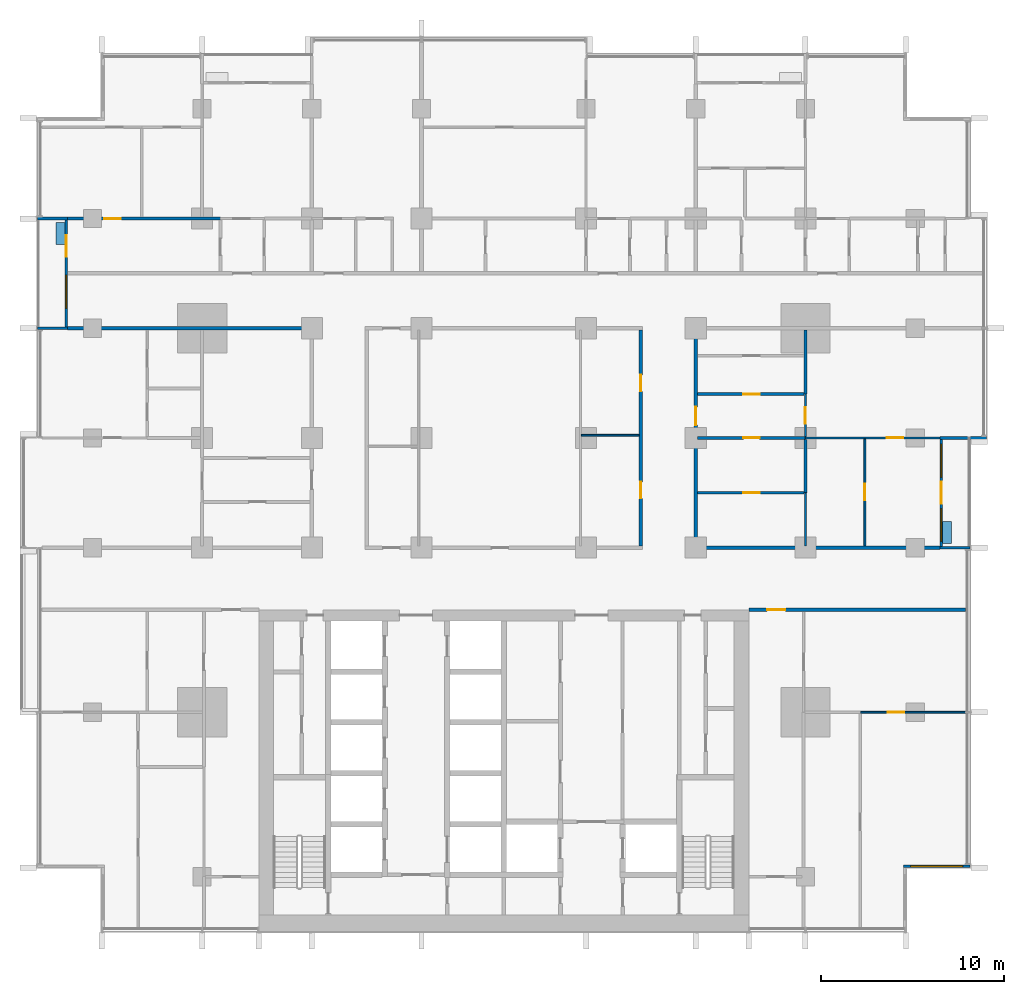
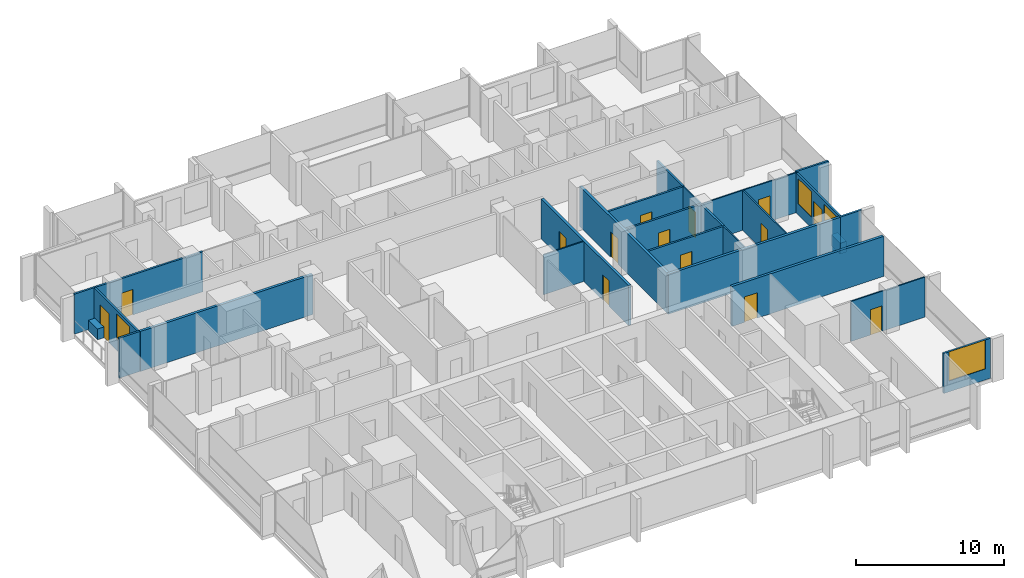
# One storey, part 10 of 18: 26 walls, 14 doors, 4 windows, 18 openings.
"""IFC4 building model written with IfcOpenShell, lengths in metres."""

from ifc_helpers import new_model, si_unit, direction, frame, frame_2d, origin, place, context, subcontext, project, spatial, rectangle, extrude, material, layer, layer_set, type_object, element, fill, save


model = new_model("IFC4")

# Units and contexts
model_context = context("Model", 3, precision=1e-05, world=origin(), true_north=direction((0.0, 1.0)))
body_context = subcontext(model_context, "Body", "Model", "MODEL_VIEW")
ifc_project = project(units=[si_unit("LENGTHUNIT", "METRE"), si_unit("AREAUNIT", "SQUARE_METRE"), si_unit("VOLUMEUNIT", "CUBIC_METRE"), si_unit("PLANEANGLEUNIT", "RADIAN"), si_unit("MASSUNIT", "GRAM", prefix="KILO")], contexts=[model_context])

# Site, building, storey
site_placement = place(None, origin())
site = spatial("IfcSite", under=ifc_project, at=site_placement, CompositionType="ELEMENT")
building_placement = place(site_placement, origin())
building = spatial("IfcBuilding", under=site, at=building_placement, Name="Finial Court Residences", CompositionType="ELEMENT")
storey_placement = place(building_placement, frame((0.0, 0.0, 106.300048828125)))
storey = spatial("IfcBuildingStorey", under=building, at=storey_placement, Name="L26", CompositionType="ELEMENT", Elevation=106.300048828125)

# Wall, opening, door
ifc_material_1 = material(Name="Gypsum board")
ifc_layer_1 = layer(ifc_material_1, 0.02490234375)
ifc_material_2 = material(Name="Acoustic mineral wool in double frame")
ifc_layer_2 = layer(ifc_material_2, 0.14990234375)
ifc_layer_3 = layer(ifc_material_1, 0.02490234375)
ifc_layer_set_1 = layer_set([ifc_layer_1, ifc_layer_2, ifc_layer_3], Name="Corridor wall 200, 1 hour")
wall_type_1 = type_object("IfcWallType", Name="Corridor wall 200, 1 hour", PredefinedType="PARTITIONING", material=ifc_layer_set_1)
wall_1_placement = place(storey_placement, frame((13.39990234375, -7.89990234375, 0.0), z_axis=(0.0, 0.0, 1.0), x_axis=(1.0, 0.0, 0.0)))
wall_1 = element("IfcWall", 1, at=wall_1_placement, inside=storey, type_object=wall_type_1, Name="Partition L26-008", PredefinedType="PARTITIONING", context=body_context, shape_type="SweptSolid", body=[
    extrude(rectangle(XDim=11.85009765625, YDim=0.199951171875, at=frame_2d((5.925048828125, 0.0))), origin(), (0.0, 0.0, 1.0), 3.300048828125),
])
opening_1_placement = place(wall_1_placement, frame((1.0, 0.0, 0.0)))
opening_1 = element("IfcOpeningElement", 2, at=opening_1_placement, cuts=wall_1, Name="Opening L26-D006", PredefinedType="OPENING", context=body_context, shape_type="SweptSolid", body=[
    extrude(rectangle(XDim=1.0, YDim=2.10009765625, at=frame_2d((0.5, 1.050048828125))), frame((0.0, 0.10986328125, 0.0), z_axis=(0.0, -1.0, 0.0), x_axis=(1.0, 0.0, 0.0)), (0.0, 0.0, 1.0), 0.219970703125),
])
ifc_material_3 = material(Name="Timber door leaf in hollow metal frame", Category="wood")
door_type_1 = type_object("IfcDoorType", Name="Fire door set 1000 x 2100, 30 minutes", OperationType="SINGLE_SWING_LEFT", PredefinedType="DOOR", material=ifc_material_3)
door_1_placement = place(opening_1_placement, origin())
door_1 = element("IfcDoor", 3, at=door_1_placement, inside=storey, type_object=door_type_1, Name="Door L26-D006", OperationType="SINGLE_SWING_LEFT", OverallHeight=2.10009765625, OverallWidth=1.0, PredefinedType="DOOR", context=body_context, shape_type="SweptSolid", body=[
    extrude(rectangle(XDim=1.0, YDim=2.10009765625, at=frame_2d((0.5, 1.050048828125))), frame((0.0, 0.02490234375, 0.0), z_axis=(0.0, -1.0, 0.0), x_axis=(1.0, 0.0, 0.0)), (0.0, 0.0, 1.0), 0.050048828125),
])
fill(opening_1, door_1)

# Walls
for number, where, z_axis, x_axis, name in (
    (4, (10.39990234375, -4.5, 0.0), (0.0, 0.0, 1.0), (1.0, 0.0, 0.0), "Partition L26-011"),
    (5, (-23.85009765625, 7.5, 0.0), (0.0, 0.0, 1.0), (1.0, 0.0, 0.0), "Partition L26-024"),
):
    element("IfcWall", number, at=place(storey_placement, frame(where, z_axis=z_axis, x_axis=x_axis)), inside=storey, type_object=wall_type_1, Name=name, PredefinedType="PARTITIONING", context=body_context, shape_type="SweptSolid", body=[
        extrude(rectangle(XDim=13.4501953125, YDim=0.199951171875, at=frame_2d((6.72509765625, 0.0))), origin(), (0.0, 0.0, 1.0), 3.300048828125),
    ])

# Wall, openings, doors
wall_2_placement = place(storey_placement, frame((7.5, -4.39990234375, 0.0), z_axis=(0.0, 0.0, 1.0), x_axis=(0.0, 1.0, 0.0)))
wall_2 = element("IfcWall", 6, at=wall_2_placement, inside=storey, type_object=wall_type_1, Name="Partition L26-074", PredefinedType="PARTITIONING", context=body_context, shape_type="SweptSolid", body=[
    extrude(rectangle(XDim=11.7998046875, YDim=0.199951171875, at=frame_2d((5.89990234375, 0.0))), origin(), (0.0, 0.0, 1.0), 3.300048828125),
])
opening_2_placement = place(wall_2_placement, frame((2.60009765625, 0.0, 0.0)))
opening_2 = element("IfcOpeningElement", 7, at=opening_2_placement, cuts=wall_2, Name="Opening L26-D047", PredefinedType="OPENING", context=body_context, shape_type="SweptSolid", body=[
    extrude(rectangle(XDim=0.89990234375, YDim=2.10009765625, at=frame_2d((0.449951171875, 1.050048828125))), frame((0.0, 0.10986328125, 0.0), z_axis=(0.0, -1.0, 0.0), x_axis=(1.0, 0.0, 0.0)), (0.0, 0.0, 1.0), 0.219970703125),
])
opening_3_placement = place(wall_2_placement, frame((8.449951171875, 0.0, 0.0)))
opening_3 = element("IfcOpeningElement", 8, at=opening_3_placement, cuts=wall_2, Name="Opening L26-D048", PredefinedType="OPENING", context=body_context, shape_type="SweptSolid", body=[
    extrude(rectangle(XDim=0.89990234375, YDim=2.10009765625, at=frame_2d((0.449951171875, 1.050048828125))), frame((0.0, 0.10986328125, 0.0), z_axis=(0.0, -1.0, 0.0), x_axis=(1.0, 0.0, 0.0)), (0.0, 0.0, 1.0), 0.219970703125),
])
door_type_2 = type_object("IfcDoorType", Name="Fire door set 900 x 2100, 30 minutes", OperationType="SINGLE_SWING_LEFT", PredefinedType="DOOR", material=ifc_material_3)
door_2_placement = place(opening_2_placement, origin())
door_2 = element("IfcDoor", 9, at=door_2_placement, inside=storey, type_object=door_type_2, Name="Door L26-D047", OperationType="SINGLE_SWING_RIGHT", OverallHeight=2.10009765625, OverallWidth=0.89990234375, PredefinedType="DOOR", context=body_context, shape_type="SweptSolid", body=[
    extrude(rectangle(XDim=0.89990234375, YDim=2.10009765625, at=frame_2d((0.449951171875, 1.050048828125))), frame((0.0, 0.02490234375, 0.0), z_axis=(0.0, -1.0, 0.0), x_axis=(1.0, 0.0, 0.0)), (0.0, 0.0, 1.0), 0.050048828125),
])
fill(opening_2, door_2)
door_3_placement = place(opening_3_placement, origin())
door_3 = element("IfcDoor", 10, at=door_3_placement, inside=storey, type_object=door_type_2, Name="Door L26-D048", OperationType="SINGLE_SWING_LEFT", OverallHeight=2.10009765625, OverallWidth=0.89990234375, PredefinedType="DOOR", context=body_context, shape_type="SweptSolid", body=[
    extrude(rectangle(XDim=0.89990234375, YDim=2.10009765625, at=frame_2d((0.449951171875, 1.050048828125))), frame((0.0, 0.02490234375, 0.0), z_axis=(0.0, -1.0, 0.0), x_axis=(1.0, 0.0, 0.0)), (0.0, 0.0, 1.0), 0.050048828125),
])
fill(opening_3, door_3)

# Wall, opening, door
wall_3_placement = place(storey_placement, frame((10.5, -4.39990234375, 0.0), z_axis=(0.0, 0.0, 1.0), x_axis=(0.0, 1.0, 0.0)))
wall_3 = element("IfcWall", 11, at=wall_3_placement, inside=storey, type_object=wall_type_1, Name="Partition L26-076", PredefinedType="PARTITIONING", context=body_context, shape_type="SweptSolid", body=[
    extrude(rectangle(XDim=11.7998046875, YDim=0.199951171875, at=frame_2d((5.89990234375, 0.0))), origin(), (0.0, 0.0, 1.0), 3.300048828125),
])
opening_4_placement = place(wall_3_placement, frame((6.60009765625, 0.0, 0.0)))
opening_4 = element("IfcOpeningElement", 12, at=opening_4_placement, cuts=wall_3, Name="Opening L26-D050", PredefinedType="OPENING", context=body_context, shape_type="SweptSolid", body=[
    extrude(rectangle(XDim=1.0, YDim=2.10009765625, at=frame_2d((0.5, 1.050048828125))), frame((0.0, 0.10986328125, 0.0), z_axis=(0.0, -1.0, 0.0), x_axis=(1.0, 0.0, 0.0)), (0.0, 0.0, 1.0), 0.219970703125),
])
door_4_placement = place(opening_4_placement, origin())
door_4 = element("IfcDoor", 13, at=door_4_placement, inside=storey, type_object=door_type_1, Name="Door L26-D050", OperationType="SINGLE_SWING_RIGHT", OverallHeight=2.10009765625, OverallWidth=1.0, PredefinedType="DOOR", context=body_context, shape_type="SweptSolid", body=[
    extrude(rectangle(XDim=1.0, YDim=2.10009765625, at=frame_2d((0.5, 1.050048828125))), frame((0.0, 0.02490234375, 0.0), z_axis=(0.0, -1.0, 0.0), x_axis=(1.0, 0.0, 0.0)), (0.0, 0.0, 1.0), 0.050048828125),
])
fill(opening_4, door_4)

ifc_layer_4 = layer(ifc_material_1, 0.012451171875)
ifc_material_4 = material(Name="Mineral wool in light-gauge frame")
ifc_layer_5 = layer(ifc_material_4, 0.074951171875)
ifc_layer_6 = layer(ifc_material_1, 0.012451171875)
ifc_layer_set_2 = layer_set([ifc_layer_4, ifc_layer_5, ifc_layer_6], Name="Gypsum board partition 100")
wall_type_2 = type_object("IfcWallType", Name="Gypsum board partition 100", PredefinedType="PARTITIONING", material=ifc_layer_set_2)
wall_4_placement = place(storey_placement, frame((19.5, -13.5, 0.0), z_axis=(0.0, 0.0, 1.0), x_axis=(1.0, 0.0, 0.0)))
wall_4 = element("IfcWall", 14, at=wall_4_placement, inside=storey, type_object=wall_type_2, Name="Partition L26-004", PredefinedType="PARTITIONING", context=body_context, shape_type="SweptSolid", body=[
    extrude(rectangle(XDim=5.75, YDim=0.10009765625, at=frame_2d((2.875, 0.0))), origin(), (0.0, 0.0, 1.0), 3.300048828125),
])
opening_5_placement = place(wall_4_placement, frame((1.5, 0.0, 0.0)))
opening_5 = element("IfcOpeningElement", 15, at=opening_5_placement, cuts=wall_4, Name="Opening L26-D004", PredefinedType="OPENING", context=body_context, shape_type="SweptSolid", body=[
    extrude(rectangle(XDim=0.89990234375, YDim=2.10009765625, at=frame_2d((0.449951171875, 1.050048828125))), frame((0.0, 0.06005859375, 0.0), z_axis=(0.0, -1.0, 0.0), x_axis=(1.0, 0.0, 0.0)), (0.0, 0.0, 1.0), 0.1201171875),
])
ifc_material_5 = material(Name="Timber door leaf in timber frame", Category="wood")
door_type_3 = type_object("IfcDoorType", Name="Door set 900 x 2100", OperationType="SINGLE_SWING_LEFT", PredefinedType="DOOR", material=ifc_material_5)
door_5_placement = place(opening_5_placement, origin())
door_5 = element("IfcDoor", 16, at=door_5_placement, inside=storey, type_object=door_type_3, Name="Door L26-D004", OperationType="SINGLE_SWING_LEFT", OverallHeight=2.10009765625, OverallWidth=0.89990234375, PredefinedType="DOOR", context=body_context, shape_type="SweptSolid", body=[
    extrude(rectangle(XDim=0.89990234375, YDim=2.10009765625, at=frame_2d((0.449951171875, 1.050048828125))), frame((0.0, 0.02490234375, 0.0), z_axis=(0.0, -1.0, 0.0), x_axis=(1.0, 0.0, 0.0)), (0.0, 0.0, 1.0), 0.050048828125),
])
fill(opening_5, door_5)

wall_5_placement = place(storey_placement, frame((16.5, 1.5, 0.0), z_axis=(0.0, 0.0, 1.0), x_axis=(1.0, 0.0, 0.0)))
wall_5 = element("IfcWall", 17, at=wall_5_placement, inside=storey, type_object=wall_type_2, Name="Partition L26-017", PredefinedType="PARTITIONING", context=body_context, shape_type="SweptSolid", body=[
    extrude(rectangle(XDim=7.35009765625, YDim=0.10009765625, at=frame_2d((3.675048828125, 0.0))), origin(), (0.0, 0.0, 1.0), 3.300048828125),
])
opening_6_placement = place(wall_5_placement, frame((4.449951171875, 0.0, 0.0)))
opening_6 = element("IfcOpeningElement", 18, at=opening_6_placement, cuts=wall_5, Name="Opening L26-D013", PredefinedType="OPENING", context=body_context, shape_type="SweptSolid", body=[
    extrude(rectangle(XDim=0.89990234375, YDim=2.10009765625, at=frame_2d((0.449951171875, 1.050048828125))), frame((0.0, 0.06005859375, 0.0), z_axis=(0.0, -1.0, 0.0), x_axis=(1.0, 0.0, 0.0)), (0.0, 0.0, 1.0), 0.1201171875),
])
door_6_placement = place(opening_6_placement, origin())
door_6 = element("IfcDoor", 19, at=door_6_placement, inside=storey, type_object=door_type_3, Name="Door L26-D013", OperationType="SINGLE_SWING_RIGHT", OverallHeight=2.10009765625, OverallWidth=0.89990234375, PredefinedType="DOOR", context=body_context, shape_type="SweptSolid", body=[
    extrude(rectangle(XDim=0.89990234375, YDim=2.10009765625, at=frame_2d((0.449951171875, 1.050048828125))), frame((0.0, 0.02490234375, 0.0), z_axis=(0.0, -1.0, 0.0), x_axis=(1.0, 0.0, 0.0)), (0.0, 0.0, 1.0), 0.050048828125),
])
fill(opening_6, door_6)

# Walls
wall_6_placement = place(storey_placement, frame((4.25, 1.64990234375, 0.0), z_axis=(0.0, 0.0, 1.0), x_axis=(1.0, 0.0, 0.0)))
element("IfcWall", 20, at=wall_6_placement, inside=storey, type_object=wall_type_2, Name="Partition L26-020", PredefinedType="PARTITIONING", context=body_context, shape_type="SweptSolid", body=[
    extrude(rectangle(XDim=3.14990234375, YDim=0.10009765625, at=frame_2d((1.574951171875, 0.0))), origin(), (0.0, 0.0, 1.0), 3.300048828125),
])
wall_7_placement = place(storey_placement, frame((16.5, -4.39990234375, 0.0), z_axis=(0.0, 0.0, 1.0), x_axis=(0.0, 1.0, 0.0)))
element("IfcWall", 21, at=wall_7_placement, inside=storey, type_object=wall_type_2, Name="Partition L26-083", PredefinedType="PARTITIONING", context=body_context, shape_type="SweptSolid", body=[
    extrude(rectangle(XDim=2.89990234375, YDim=0.10009765625, at=frame_2d((1.449951171875, 0.0))), origin(), (0.0, 0.0, 1.0), 3.300048828125),
])

# Wall, opening, door
wall_8_placement = place(storey_placement, frame((16.5, 1.574951171875, 0.0), z_axis=(0.0, 0.0, 1.0), x_axis=(0.0, 1.0, 0.0)))
wall_8 = element("IfcWall", 22, at=wall_8_placement, inside=storey, type_object=wall_type_2, Name="Partition L26-084", PredefinedType="PARTITIONING", context=body_context, shape_type="SweptSolid", body=[
    extrude(rectangle(XDim=2.324951171875, YDim=0.10009765625, at=frame_2d((1.16259765625, 0.0))), origin(), (0.0, 0.0, 1.0), 3.300048828125),
])
opening_7_placement = place(wall_8_placement, frame((0.699951171875, 0.0, 0.0)))
opening_7 = element("IfcOpeningElement", 23, at=opening_7_placement, cuts=wall_8, Name="Opening L26-D053", PredefinedType="OPENING", context=body_context, shape_type="SweptSolid", body=[
    extrude(rectangle(XDim=0.89990234375, YDim=2.10009765625, at=frame_2d((0.449951171875, 1.050048828125))), frame((0.0, 0.06005859375, 0.0), z_axis=(0.0, -1.0, 0.0), x_axis=(1.0, 0.0, 0.0)), (0.0, 0.0, 1.0), 0.1201171875),
])
door_7_placement = place(opening_7_placement, origin())
door_7 = element("IfcDoor", 24, at=door_7_placement, inside=storey, type_object=door_type_3, Name="Door L26-D053", OperationType="SINGLE_SWING_RIGHT", OverallHeight=2.10009765625, OverallWidth=0.89990234375, PredefinedType="DOOR", context=body_context, shape_type="SweptSolid", body=[
    extrude(rectangle(XDim=0.89990234375, YDim=2.10009765625, at=frame_2d((0.449951171875, 1.050048828125))), frame((0.0, 0.02490234375, 0.0), z_axis=(0.0, -1.0, 0.0), x_axis=(1.0, 0.0, 0.0)), (0.0, 0.0, 1.0), 0.050048828125),
])
fill(opening_7, door_7)

wall_9_placement = place(storey_placement, frame((19.75, -4.39990234375, 0.0), z_axis=(0.0, 0.0, 1.0), x_axis=(0.0, 1.0, 0.0)))
wall_9 = element("IfcWall", 25, at=wall_9_placement, inside=storey, type_object=wall_type_2, Name="Partition L26-091", PredefinedType="PARTITIONING", context=body_context, shape_type="SweptSolid", body=[
    extrude(rectangle(XDim=5.849853515625, YDim=0.10009765625, at=frame_2d((2.9248046875, 0.0))), origin(), (0.0, 0.0, 1.0), 3.300048828125),
])
opening_8_placement = place(wall_9_placement, frame((2.5, 0.0, 0.0)))
opening_8 = element("IfcOpeningElement", 26, at=opening_8_placement, cuts=wall_9, Name="Opening L26-D058", PredefinedType="OPENING", context=body_context, shape_type="SweptSolid", body=[
    extrude(rectangle(XDim=0.89990234375, YDim=2.10009765625, at=frame_2d((0.449951171875, 1.050048828125))), frame((0.0, 0.06005859375, 0.0), z_axis=(0.0, -1.0, 0.0), x_axis=(1.0, 0.0, 0.0)), (0.0, 0.0, 1.0), 0.1201171875),
])
door_8_placement = place(opening_8_placement, origin())
door_8 = element("IfcDoor", 27, at=door_8_placement, inside=storey, type_object=door_type_3, Name="Door L26-D058", OperationType="SINGLE_SWING_RIGHT", OverallHeight=2.10009765625, OverallWidth=0.89990234375, PredefinedType="DOOR", context=body_context, shape_type="SweptSolid", body=[
    extrude(rectangle(XDim=0.89990234375, YDim=2.10009765625, at=frame_2d((0.449951171875, 1.050048828125))), frame((0.0, 0.02490234375, 0.0), z_axis=(0.0, -1.0, 0.0), x_axis=(1.0, 0.0, 0.0)), (0.0, 0.0, 1.0), 0.050048828125),
])
fill(opening_8, door_8)

ifc_material_6 = material(Name="Moisture-resistant gypsum board")
ifc_layer_7 = layer(ifc_material_6, 0.012451171875)
ifc_layer_8 = layer(ifc_material_4, 0.125)
ifc_layer_9 = layer(ifc_material_6, 0.012451171875)
ifc_layer_set_3 = layer_set([ifc_layer_7, ifc_layer_8, ifc_layer_9], Name="Gypsum board wet-area partition 150")
wall_type_3 = type_object("IfcWallType", Name="Gypsum board wet-area partition 150", PredefinedType="PARTITIONING", material=ifc_layer_set_3)
wall_10_placement = place(storey_placement, frame((10.60009765625, -1.5, 0.0), z_axis=(0.0, 0.0, 1.0), x_axis=(1.0, 0.0, 0.0)))
wall_10 = element("IfcWall", 28, at=wall_10_placement, inside=storey, type_object=wall_type_3, Name="Partition L26-013", PredefinedType="PARTITIONING", context=body_context, shape_type="SweptSolid", body=[
    extrude(rectangle(XDim=5.824951171875, YDim=0.14990234375, at=frame_2d((2.91259765625, 0.0))), origin(), (0.0, 0.0, 1.0), 3.300048828125),
])
opening_9_placement = place(wall_10_placement, frame((2.5, 0.0, 0.0)))
opening_9 = element("IfcOpeningElement", 29, at=opening_9_placement, cuts=wall_10, Name="Opening L26-D010", PredefinedType="OPENING", context=body_context, shape_type="SweptSolid", body=[
    extrude(rectangle(XDim=0.89990234375, YDim=2.10009765625, at=frame_2d((0.449951171875, 1.050048828125))), frame((0.0, 0.0849609375, 0.0), z_axis=(0.0, -1.0, 0.0), x_axis=(1.0, 0.0, 0.0)), (0.0, 0.0, 1.0), 0.169921875),
])
door_9_placement = place(opening_9_placement, origin())
door_9 = element("IfcDoor", 30, at=door_9_placement, inside=storey, type_object=door_type_3, Name="Door L26-D010", OperationType="SINGLE_SWING_LEFT", OverallHeight=2.10009765625, OverallWidth=0.89990234375, PredefinedType="DOOR", context=body_context, shape_type="SweptSolid", body=[
    extrude(rectangle(XDim=0.89990234375, YDim=2.10009765625, at=frame_2d((0.449951171875, 1.050048828125))), frame((0.0, 0.02490234375, 0.0), z_axis=(0.0, -1.0, 0.0), x_axis=(1.0, 0.0, 0.0)), (0.0, 0.0, 1.0), 0.050048828125),
])
fill(opening_9, door_9)

wall_11_placement = place(storey_placement, frame((10.60009765625, 1.5, 0.0), z_axis=(0.0, 0.0, 1.0), x_axis=(1.0, 0.0, 0.0)))
wall_11 = element("IfcWall", 31, at=wall_11_placement, inside=storey, type_object=wall_type_3, Name="Partition L26-019", PredefinedType="PARTITIONING", context=body_context, shape_type="SweptSolid", body=[
    extrude(rectangle(XDim=5.89990234375, YDim=0.14990234375, at=frame_2d((2.949951171875, 0.0))), origin(), (0.0, 0.0, 1.0), 3.300048828125),
])
opening_10_placement = place(wall_11_placement, frame((2.5, 0.0, 0.0)))
opening_10 = element("IfcOpeningElement", 32, at=opening_10_placement, cuts=wall_11, Name="Opening L26-D014", PredefinedType="OPENING", context=body_context, shape_type="SweptSolid", body=[
    extrude(rectangle(XDim=0.89990234375, YDim=2.10009765625, at=frame_2d((0.449951171875, 1.050048828125))), frame((0.0, 0.0849609375, 0.0), z_axis=(0.0, -1.0, 0.0), x_axis=(1.0, 0.0, 0.0)), (0.0, 0.0, 1.0), 0.169921875),
])
door_10_placement = place(opening_10_placement, origin())
door_10 = element("IfcDoor", 33, at=door_10_placement, inside=storey, type_object=door_type_3, Name="Door L26-D014", OperationType="SINGLE_SWING_LEFT", OverallHeight=2.10009765625, OverallWidth=0.89990234375, PredefinedType="DOOR", context=body_context, shape_type="SweptSolid", body=[
    extrude(rectangle(XDim=0.89990234375, YDim=2.10009765625, at=frame_2d((0.449951171875, 1.050048828125))), frame((0.0, 0.02490234375, 0.0), z_axis=(0.0, -1.0, 0.0), x_axis=(1.0, 0.0, 0.0)), (0.0, 0.0, 1.0), 0.050048828125),
])
fill(opening_10, door_10)

wall_12_placement = place(storey_placement, frame((10.60009765625, 3.89990234375, 0.0), z_axis=(0.0, 0.0, 1.0), x_axis=(1.0, 0.0, 0.0)))
wall_12 = element("IfcWall", 34, at=wall_12_placement, inside=storey, type_object=wall_type_3, Name="Partition L26-021", PredefinedType="PARTITIONING", context=body_context, shape_type="SweptSolid", body=[
    extrude(rectangle(XDim=5.824951171875, YDim=0.14990234375, at=frame_2d((2.91259765625, 0.0))), origin(), (0.0, 0.0, 1.0), 3.300048828125),
])
opening_11_placement = place(wall_12_placement, frame((2.5, 0.0, 0.0)))
opening_11 = element("IfcOpeningElement", 35, at=opening_11_placement, cuts=wall_12, Name="Opening L26-D015", PredefinedType="OPENING", context=body_context, shape_type="SweptSolid", body=[
    extrude(rectangle(XDim=0.89990234375, YDim=2.10009765625, at=frame_2d((0.449951171875, 1.050048828125))), frame((0.0, 0.0849609375, 0.0), z_axis=(0.0, -1.0, 0.0), x_axis=(1.0, 0.0, 0.0)), (0.0, 0.0, 1.0), 0.169921875),
])
door_11_placement = place(opening_11_placement, origin())
door_11 = element("IfcDoor", 36, at=door_11_placement, inside=storey, type_object=door_type_3, Name="Door L26-D015", OperationType="SINGLE_SWING_RIGHT", OverallHeight=2.10009765625, OverallWidth=0.89990234375, PredefinedType="DOOR", context=body_context, shape_type="SweptSolid", body=[
    extrude(rectangle(XDim=0.89990234375, YDim=2.10009765625, at=frame_2d((0.449951171875, 1.050048828125))), frame((0.0, 0.02490234375, 0.0), z_axis=(0.0, -1.0, 0.0), x_axis=(1.0, 0.0, 0.0)), (0.0, 0.0, 1.0), 0.050048828125),
])
fill(opening_11, door_11)

wall_13_placement = place(storey_placement, frame((-23.85009765625, 13.5, 0.0), z_axis=(0.0, 0.0, 1.0), x_axis=(1.0, 0.0, 0.0)))
wall_13 = element("IfcWall", 37, at=wall_13_placement, inside=storey, type_object=wall_type_3, Name="Partition L26-033", PredefinedType="PARTITIONING", context=body_context, shape_type="SweptSolid", body=[
    extrude(rectangle(XDim=8.35009765625, YDim=0.14990234375, at=frame_2d((4.175048828125, 0.0))), origin(), (0.0, 0.0, 1.0), 3.300048828125),
])
opening_12_placement = place(wall_13_placement, frame((2.0, 0.0, 0.0)))
opening_12 = element("IfcOpeningElement", 38, at=opening_12_placement, cuts=wall_13, Name="Opening L26-D026", PredefinedType="OPENING", context=body_context, shape_type="SweptSolid", body=[
    extrude(rectangle(XDim=0.89990234375, YDim=2.10009765625, at=frame_2d((0.449951171875, 1.050048828125))), frame((0.0, 0.0849609375, 0.0), z_axis=(0.0, -1.0, 0.0), x_axis=(1.0, 0.0, 0.0)), (0.0, 0.0, 1.0), 0.169921875),
])
door_12_placement = place(opening_12_placement, origin())
door_12 = element("IfcDoor", 39, at=door_12_placement, inside=storey, type_object=door_type_3, Name="Door L26-D026", OperationType="SINGLE_SWING_RIGHT", OverallHeight=2.10009765625, OverallWidth=0.89990234375, PredefinedType="DOOR", context=body_context, shape_type="SweptSolid", body=[
    extrude(rectangle(XDim=0.89990234375, YDim=2.10009765625, at=frame_2d((0.449951171875, 1.050048828125))), frame((0.0, 0.02490234375, 0.0), z_axis=(0.0, -1.0, 0.0), x_axis=(1.0, 0.0, 0.0)), (0.0, 0.0, 1.0), 0.050048828125),
])
fill(opening_12, door_12)

# Walls
wall_14_placement = place(storey_placement, frame((16.5, -1.5, 0.0), z_axis=(0.0, 0.0, 1.0), x_axis=(0.0, 1.0, 0.0)))
element("IfcWall", 40, at=wall_14_placement, inside=storey, type_object=wall_type_3, Name="Partition L26-086", PredefinedType="PARTITIONING", context=body_context, shape_type="SweptSolid", body=[
    extrude(rectangle(XDim=2.925048828125, YDim=0.14990234375, at=frame_2d((1.46240234375, 0.0))), origin(), (0.0, 0.0, 1.0), 3.300048828125),
])
wall_15_placement = place(storey_placement, frame((16.5, 3.89990234375, 0.0), z_axis=(0.0, 0.0, 1.0), x_axis=(0.0, 1.0, 0.0)))
element("IfcWall", 41, at=wall_15_placement, inside=storey, type_object=wall_type_3, Name="Partition L26-087", PredefinedType="PARTITIONING", context=body_context, shape_type="SweptSolid", body=[
    extrude(rectangle(XDim=3.5, YDim=0.14990234375, at=frame_2d((1.75, 0.0))), origin(), (0.0, 0.0, 1.0), 3.300048828125),
])

# Wall, opening, window
ifc_material_7 = material(Name="Natural limestone", Category="masonry")
ifc_layer_10 = layer(ifc_material_7, 0.14990234375)
ifc_layer_set_4 = layer_set([ifc_layer_10], Name="Limestone clad wall 150")
wall_type_4 = type_object("IfcWallType", Name="Limestone clad wall 150", PredefinedType="SOLIDWALL", material=ifc_layer_set_4)
wall_16_placement = place(storey_placement, frame((25.5, -21.925048828125, 0.0), z_axis=(0.0, 0.0, 1.0), x_axis=(-1.0, 0.0, 0.0)))
wall_16 = element("IfcWall", 42, at=wall_16_placement, inside=storey, type_object=wall_type_4, Name="E-L26-NWS19", PredefinedType="SOLIDWALL", context=body_context, shape_type="SweptSolid", body=[
    extrude(rectangle(XDim=3.64990234375, YDim=0.14990234375, at=frame_2d((1.824951171875, 0.0))), origin(), (0.0, 0.0, 1.0), 3.300048828125),
])
opening_13_placement = place(wall_16_placement, frame((0.39990234375, 0.0, 0.89990234375)))
opening_13 = element("IfcOpeningElement", 43, at=opening_13_placement, cuts=wall_16, Name="Opening WE26-04", PredefinedType="OPENING", context=body_context, shape_type="SweptSolid", body=[
    extrude(rectangle(XDim=2.85009765625, YDim=2.39990234375, at=frame_2d((1.425048828125, 1.199951171875))), frame((0.0, 0.0849609375, 0.0), z_axis=(0.0, -1.0, 0.0), x_axis=(1.0, 0.0, 0.0)), (0.0, 0.0, 1.0), 0.169921875),
])
ifc_material_8 = material(Name="Clear low-e glass", Category="glass")
window_type_1 = type_object("IfcWindowType", Name="Corner window 2850 x 2400", PartitioningType="SINGLE_PANEL", PredefinedType="WINDOW", material=ifc_material_8)
window_1_placement = place(opening_13_placement, origin())
window_1 = element("IfcWindow", 44, at=window_1_placement, inside=storey, type_object=window_type_1, Name="E-L26-NWS19-W1", OverallHeight=2.39990234375, OverallWidth=2.85009765625, PartitioningType="SINGLE_PANEL", PredefinedType="WINDOW", context=body_context, shape_type="SweptSolid", body=[
    extrude(rectangle(XDim=2.85009765625, YDim=2.39990234375, at=frame_2d((1.425048828125, 1.199951171875))), frame((0.0, 0.030029296875, 0.0), z_axis=(0.0, -1.0, 0.0), x_axis=(1.0, 0.0, 0.0)), (0.0, 0.0, 1.0), 0.06005859375),
])
fill(opening_13, window_1)

# Walls
wall_17_placement = place(storey_placement, frame((23.85009765625, -4.5, 0.0), z_axis=(0.0, 0.0, 1.0), x_axis=(1.0, 0.0, 0.0)))
element("IfcWall", 45, at=wall_17_placement, inside=storey, type_object=wall_type_4, Name="E-L26-BALE3-P1", PredefinedType="SOLIDWALL", context=body_context, shape_type="SweptSolid", body=[
    extrude(rectangle(XDim=1.64990234375, YDim=0.14990234375, at=frame_2d((0.824951171875, 0.0))), origin(), (0.0, 0.0, 1.0), 3.300048828125),
])
wall_18_placement = place(storey_placement, frame((23.85009765625, 1.5, 0.0), z_axis=(0.0, 0.0, 1.0), x_axis=(1.0, 0.0, 0.0)))
element("IfcWall", 46, at=wall_18_placement, inside=storey, type_object=wall_type_4, Name="E-L26-BALE3-P2", PredefinedType="SOLIDWALL", context=body_context, shape_type="SweptSolid", body=[
    extrude(rectangle(XDim=2.5498046875, YDim=0.14990234375, at=frame_2d((1.27490234375, 0.0))), origin(), (0.0, 0.0, 1.0), 3.39990234375),
])

# Wall, openings, door, windows
wall_19_placement = place(storey_placement, frame((23.925048828125, 1.425048828125, 0.0), z_axis=(0.0, 0.0, 1.0), x_axis=(0.0, -1.0, 0.0)))
wall_19 = element("IfcWall", 47, at=wall_19_placement, inside=storey, type_object=wall_type_4, Name="E-L26-L26-BALE3-W", PredefinedType="SOLIDWALL", context=body_context, shape_type="SweptSolid", body=[
    extrude(rectangle(XDim=5.85009765625, YDim=0.14990234375, at=frame_2d((2.925048828125, 0.0))), origin(), (0.0, 0.0, 1.0), 3.300048828125),
])
opening_14_placement = place(wall_19_placement, frame((2.324951171875, 0.0, 0.0)))
opening_14 = element("IfcOpeningElement", 48, at=opening_14_placement, cuts=wall_19, Name="Opening DE26-03", PredefinedType="OPENING", context=body_context, shape_type="SweptSolid", body=[
    extrude(rectangle(XDim=1.199951171875, YDim=2.39990234375, at=frame_2d((0.60009765625, 1.199951171875))), frame((0.0, 0.0849609375, 0.0), z_axis=(0.0, -1.0, 0.0), x_axis=(1.0, 0.0, 0.0)), (0.0, 0.0, 1.0), 0.169921875),
])
opening_15_placement = place(wall_19_placement, frame((3.78759765625, 0.0, 0.89990234375)))
opening_15 = element("IfcOpeningElement", 49, at=opening_15_placement, cuts=wall_19, Name="Opening WE26-13", PredefinedType="OPENING", context=body_context, shape_type="SweptSolid", body=[
    extrude(rectangle(XDim=1.800048828125, YDim=2.10009765625, at=frame_2d((0.89990234375, 1.050048828125))), frame((0.0, 0.0849609375, 0.0), z_axis=(0.0, -1.0, 0.0), x_axis=(1.0, 0.0, 0.0)), (0.0, 0.0, 1.0), 0.169921875),
])
opening_16_placement = place(wall_19_placement, frame((0.262451171875, 0.0, 0.89990234375)))
opening_16 = element("IfcOpeningElement", 50, at=opening_16_placement, cuts=wall_19, Name="Opening WE26-14", PredefinedType="OPENING", context=body_context, shape_type="SweptSolid", body=[
    extrude(rectangle(XDim=1.800048828125, YDim=2.10009765625, at=frame_2d((0.89990234375, 1.050048828125))), frame((0.0, 0.0849609375, 0.0), z_axis=(0.0, -1.0, 0.0), x_axis=(1.0, 0.0, 0.0)), (0.0, 0.0, 1.0), 0.169921875),
])
ifc_material_9 = material(Name="Bronze anodised aluminium", Category="aluminium")
door_type_4 = type_object("IfcDoorType", Name="Balcony door 1200 x 2400", OperationType="SINGLE_SWING_LEFT", PredefinedType="DOOR", material=ifc_material_9)
door_13_placement = place(opening_14_placement, origin())
door_13 = element("IfcDoor", 51, at=door_13_placement, inside=storey, type_object=door_type_4, Name="E-L26-L26-BALE3-W-D", OperationType="SINGLE_SWING_LEFT", OverallHeight=2.39990234375, OverallWidth=1.199951171875, PredefinedType="DOOR", context=body_context, shape_type="SweptSolid", body=[
    extrude(rectangle(XDim=1.199951171875, YDim=2.39990234375, at=frame_2d((0.60009765625, 1.199951171875))), frame((0.0, 0.02490234375, 0.0), z_axis=(0.0, -1.0, 0.0), x_axis=(1.0, 0.0, 0.0)), (0.0, 0.0, 1.0), 0.050048828125),
])
fill(opening_14, door_13)
window_type_2 = type_object("IfcWindowType", Name="Balcony window 1800 x 2100", PartitioningType="SINGLE_PANEL", PredefinedType="WINDOW", material=ifc_material_8)
window_2_placement = place(opening_15_placement, origin())
window_2 = element("IfcWindow", 52, at=window_2_placement, inside=storey, type_object=window_type_2, Name="E-L26-L26-BALE3-W-W1", OverallHeight=2.10009765625, OverallWidth=1.800048828125, PartitioningType="SINGLE_PANEL", PredefinedType="WINDOW", context=body_context, shape_type="SweptSolid", body=[
    extrude(rectangle(XDim=1.800048828125, YDim=2.10009765625, at=frame_2d((0.89990234375, 1.050048828125))), frame((0.0, 0.030029296875, 0.0), z_axis=(0.0, -1.0, 0.0), x_axis=(1.0, 0.0, 0.0)), (0.0, 0.0, 1.0), 0.06005859375),
])
fill(opening_15, window_2)
window_3_placement = place(opening_16_placement, origin())
window_3 = element("IfcWindow", 53, at=window_3_placement, inside=storey, type_object=window_type_2, Name="E-L26-L26-BALE3-W-W2", OverallHeight=2.10009765625, OverallWidth=1.800048828125, PartitioningType="SINGLE_PANEL", PredefinedType="WINDOW", context=body_context, shape_type="SweptSolid", body=[
    extrude(rectangle(XDim=1.800048828125, YDim=2.10009765625, at=frame_2d((0.89990234375, 1.050048828125))), frame((0.0, 0.030029296875, 0.0), z_axis=(0.0, -1.0, 0.0), x_axis=(1.0, 0.0, 0.0)), (0.0, 0.0, 1.0), 0.06005859375),
])
fill(opening_16, window_3)

# Walls
for number, where, z_axis, x_axis, name in (
    (54, (-23.85009765625, 7.5, 0.0), (0.0, 0.0, 1.0), (-1.0, 0.0, 0.0), "E-L26-BALW5-P1"),
    (55, (-23.85009765625, 13.5, 0.0), (0.0, 0.0, 1.0), (-1.0, 0.0, 0.0), "E-L26-BALW5-P2"),
):
    element("IfcWall", number, at=place(storey_placement, frame(where, z_axis=z_axis, x_axis=x_axis)), inside=storey, type_object=wall_type_4, Name=name, PredefinedType="SOLIDWALL", context=body_context, shape_type="SweptSolid", body=[
        extrude(rectangle(XDim=1.64990234375, YDim=0.14990234375, at=frame_2d((0.824951171875, 0.0))), origin(), (0.0, 0.0, 1.0), 3.300048828125),
    ])

# Wall, openings, door, window
wall_20_placement = place(storey_placement, frame((-23.925048828125, 7.574951171875, 0.0), z_axis=(0.0, 0.0, 1.0), x_axis=(0.0, 1.0, 0.0)))
wall_20 = element("IfcWall", 56, at=wall_20_placement, inside=storey, type_object=wall_type_4, Name="E-L26-L26-BALW5-W", PredefinedType="SOLIDWALL", context=body_context, shape_type="SweptSolid", body=[
    extrude(rectangle(XDim=5.85009765625, YDim=0.14990234375, at=frame_2d((2.925048828125, 0.0))), origin(), (0.0, 0.0, 1.0), 3.300048828125),
])
opening_17_placement = place(wall_20_placement, frame((3.824951171875, 0.0, 0.0)))
opening_17 = element("IfcOpeningElement", 57, at=opening_17_placement, cuts=wall_20, Name="Opening DE26-04", PredefinedType="OPENING", context=body_context, shape_type="SweptSolid", body=[
    extrude(rectangle(XDim=1.199951171875, YDim=2.39990234375, at=frame_2d((0.60009765625, 1.199951171875))), frame((0.0, 0.0849609375, 0.0), z_axis=(0.0, -1.0, 0.0), x_axis=(1.0, 0.0, 0.0)), (0.0, 0.0, 1.0), 0.169921875),
])
opening_18_placement = place(wall_20_placement, frame((1.012451171875, 0.0, 0.89990234375)))
opening_18 = element("IfcOpeningElement", 58, at=opening_18_placement, cuts=wall_20, Name="Opening WE26-15", PredefinedType="OPENING", context=body_context, shape_type="SweptSolid", body=[
    extrude(rectangle(XDim=1.800048828125, YDim=2.10009765625, at=frame_2d((0.89990234375, 1.050048828125))), frame((0.0, 0.0849609375, 0.0), z_axis=(0.0, -1.0, 0.0), x_axis=(1.0, 0.0, 0.0)), (0.0, 0.0, 1.0), 0.169921875),
])
door_14_placement = place(opening_17_placement, origin())
door_14 = element("IfcDoor", 59, at=door_14_placement, inside=storey, type_object=door_type_4, Name="E-L26-L26-BALW5-W-D", OperationType="SINGLE_SWING_RIGHT", OverallHeight=2.39990234375, OverallWidth=1.199951171875, PredefinedType="DOOR", context=body_context, shape_type="SweptSolid", body=[
    extrude(rectangle(XDim=1.199951171875, YDim=2.39990234375, at=frame_2d((0.60009765625, 1.199951171875))), frame((0.0, 0.02490234375, 0.0), z_axis=(0.0, -1.0, 0.0), x_axis=(1.0, 0.0, 0.0)), (0.0, 0.0, 1.0), 0.050048828125),
])
fill(opening_17, door_14)
window_4_placement = place(opening_18_placement, origin())
window_4 = element("IfcWindow", 60, at=window_4_placement, inside=storey, type_object=window_type_2, Name="E-L26-L26-BALW5-W-W1", OverallHeight=2.10009765625, OverallWidth=1.800048828125, PartitioningType="SINGLE_PANEL", PredefinedType="WINDOW", context=body_context, shape_type="SweptSolid", body=[
    extrude(rectangle(XDim=1.800048828125, YDim=2.10009765625, at=frame_2d((0.89990234375, 1.050048828125))), frame((0.0, 0.030029296875, 0.0), z_axis=(0.0, -1.0, 0.0), x_axis=(1.0, 0.0, 0.0)), (0.0, 0.0, 1.0), 0.06005859375),
])
fill(opening_18, window_4)

# Walls
ifc_material_10 = material(Name="Concrete C40/50", Category="concrete")
ifc_layer_11 = layer(ifc_material_10, 0.10009765625)
ifc_material_11 = material(Name="Planting soil", Category="soil")
ifc_layer_12 = layer(ifc_material_11, 0.300048828125)
ifc_layer_13 = layer(ifc_material_10, 0.10009765625)
ifc_layer_set_5 = layer_set([ifc_layer_11, ifc_layer_12, ifc_layer_13], Name="Planter wall, balcony")
wall_type_5 = type_object("IfcWallType", Name="Planter wall, balcony", PredefinedType="USERDEFINED", material=ifc_layer_set_5)
for number, where, z_axis, x_axis, name in (
    (61, (24.25, -4.27490234375, 0.0), (0.0, 0.0, 1.0), (0.0, 1.0, 0.0), "E-L26-BALE3-PL"),
    (62, (-24.25, 12.074951171875, 0.0), (0.0, 0.0, 1.0), (0.0, 1.0, 0.0), "E-L26-BALW5-PL"),
):
    element("IfcWall", number, at=place(storey_placement, frame(where, z_axis=z_axis, x_axis=x_axis)), inside=storey, type_object=wall_type_5, Name=name, ObjectType="PLANTER", PredefinedType="USERDEFINED", context=body_context, shape_type="SweptSolid", body=[
        extrude(rectangle(XDim=1.199951171875, YDim=0.5, at=frame_2d((0.60009765625, 0.0))), origin(), (0.0, 0.0, 1.0), 0.89990234375),
    ])

save(model, "model.ifc")
